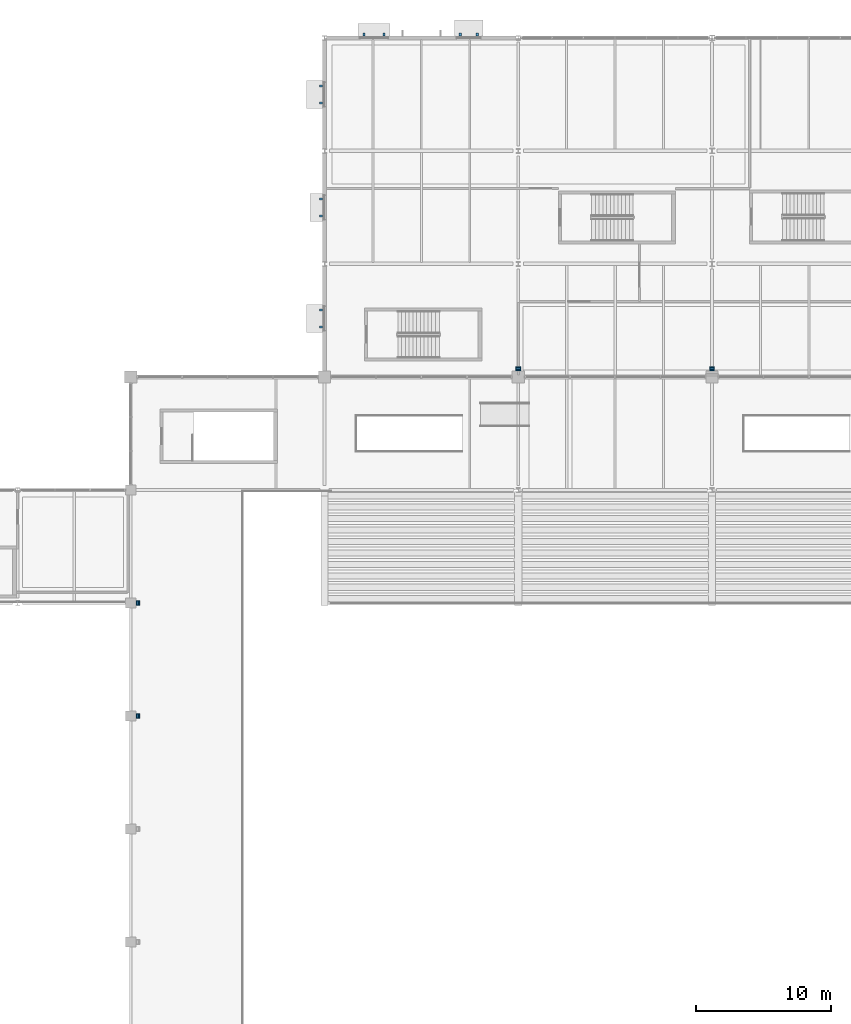
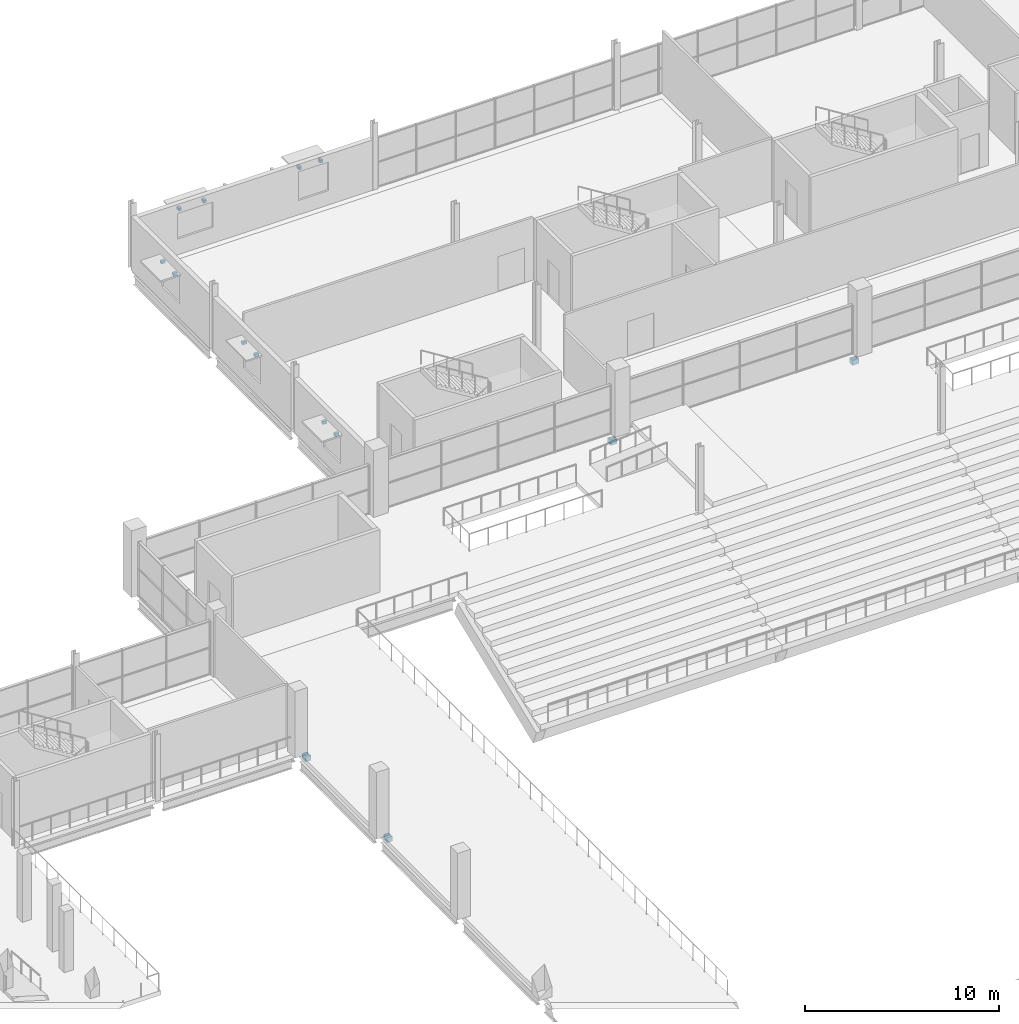
# One storey, part 144 of 161: 18 discrete accessories.
"""IFC4 building model written with IfcOpenShell, lengths in metres."""

from ifc_helpers import new_model, si_unit, direction, frame, origin, origin_2d, place, context, subcontext, project, spatial, rectangle, extrude, material, layer, layer_set, type_object, element, save


model = new_model("IFC4")

# Units and contexts
model_context = context("Model", 3, precision=1e-05, world=origin(), true_north=direction((0.0, 1.0)))
body_context = subcontext(model_context, "Body", "Model", "MODEL_VIEW")
ifc_project = project(units=[si_unit("LENGTHUNIT", "METRE"), si_unit("AREAUNIT", "SQUARE_METRE"), si_unit("VOLUMEUNIT", "CUBIC_METRE"), si_unit("PLANEANGLEUNIT", "RADIAN"), si_unit("MASSUNIT", "GRAM", prefix="KILO"), si_unit("THERMODYNAMICTEMPERATUREUNIT", "KELVIN")], contexts=[model_context])

# Site, building, storey
site_placement = place(None, origin())
site = spatial("IfcSite", under=ifc_project, at=site_placement, CompositionType="ELEMENT")
building_placement = place(site_placement, origin())
building = spatial("IfcBuilding", under=site, at=building_placement, Name="Nduvali Passage Aquatics Centre", CompositionType="ELEMENT")
storey_placement = place(building_placement, frame((0.0, 0.0, 4.800048828125)))
storey = spatial("IfcBuildingStorey", under=building, at=storey_placement, Name="L01", CompositionType="ELEMENT", Elevation=4.800048828125)

# Discrete accessories
ifc_material_1 = material(Name="Steel S355", Category="steel")
discrete_accessory_type_1 = type_object("IfcDiscreteAccessoryType", Name="ENV-BRK-S355", PredefinedType="BRACKET", material=ifc_material_1)
for number, where, z_axis, x_axis, name in (
    (1, (50.952392578125, 117.85009765625, 2.580078125), (0.0, 0.0, 1.0), (-1.0, 0.0, 0.0), "L01 Sunshade Bracket 0113"),
    (2, (49.6923828125, 117.85009765625, 2.580078125), (0.0, 0.0, 1.0), (-1.0, 0.0, 0.0), "L01 Sunshade Bracket 0114"),
    (3, (44.012451171875, 117.85009765625, 2.48486328125), (0.0, 0.0, 1.0), (-1.0, 0.0, 0.0), "L01 Sunshade Bracket 0115"),
    (4, (42.54248046875, 117.85009765625, 2.48486328125), (0.0, 0.0, 1.0), (-1.0, 0.0, 0.0), "L01 Sunshade Bracket 0116"),
    (5, (39.35009765625, 97.374755859375, 2.580078125), (0.0, 0.0, 1.0), (0.0, -1.0, 0.0), "L01 Sunshade Bracket 0117"),
    (6, (39.35009765625, 96.11474609375, 2.580078125), (0.0, 0.0, 1.0), (0.0, -1.0, 0.0), "L01 Sunshade Bracket 0118"),
    (7, (39.35009765625, 105.629638671875, 2.5849609375), (0.0, 0.0, 1.0), (0.0, -1.0, 0.0), "L01 Sunshade Bracket 0119"),
    (8, (39.35009765625, 104.36962890625, 2.5849609375), (0.0, 0.0, 1.0), (0.0, -1.0, 0.0), "L01 Sunshade Bracket 0120"),
    (9, (39.35009765625, 114.02978515625, 2.580078125), (0.0, 0.0, 1.0), (0.0, -1.0, 0.0), "L01 Sunshade Bracket 0121"),
    (10, (39.35009765625, 112.769775390625, 2.580078125), (0.0, 0.0, 1.0), (0.0, -1.0, 0.0), "L01 Sunshade Bracket 0122"),
):
    element("IfcDiscreteAccessory", number, at=place(storey_placement, frame(where, z_axis=z_axis, x_axis=x_axis)), inside=storey, type_object=discrete_accessory_type_1, Name=name, PredefinedType="BRACKET", context=body_context, shape_type="SweptSolid", body=[
        extrude(rectangle(XDim=0.159912109375, YDim=0.239990234375, at=origin_2d()), origin(), (0.0, 0.0, 1.0), 0.179931640625),
    ])
ifc_material_2 = material(Name="Concrete C40/50", Category="concrete")
discrete_accessory_type_2 = type_object("IfcDiscreteAccessoryType", Name="STR-ACC-CRB320", PredefinedType="BRACKET", material=ifc_material_2)
for number, where, z_axis, x_axis, name in (
    (11, (25.735107421875, 67.199951171875, -0.60205078125), (0.0, 0.0, 1.0), (1.0, 0.0, 0.0), "L01 Movement Joint MJ1 RC Corbel CRB1-004"),
    (12, (25.735107421875, 75.60009765625, -0.60205078125), (0.0, 0.0, 1.0), (1.0, 0.0, 0.0), "L01 Movement Joint MJ1 RC Corbel CRB1-005"),
    (13, (54.0, 93.010009765625, -1.1455078125), (0.0, 0.0, 1.0), (0.0, 1.0, 0.0), "L01 Movement Joint MJ2 RC Corbel CRB1-006"),
    (14, (68.39990234375, 93.010009765625, -1.1455078125), (0.0, 0.0, 1.0), (0.0, 1.0, 0.0), "L01 Movement Joint MJ2 RC Corbel CRB1-007"),
):
    element("IfcDiscreteAccessory", number, at=place(storey_placement, frame(where, z_axis=z_axis, x_axis=x_axis)), inside=storey, type_object=discrete_accessory_type_2, Name=name, PredefinedType="BRACKET", context=body_context, shape_type="SweptSolid", body=[
        extrude(rectangle(XDim=0.320068359375, YDim=0.3798828125, at=origin_2d()), origin(), (0.0, 0.0, 1.0), 0.300048828125),
    ])
ifc_layer = layer(ifc_material_1, 0.02197265625, Name="Steel S355")
ifc_layer_set = layer_set([ifc_layer], Name="Steel S355")
discrete_accessory_type_3 = type_object("IfcDiscreteAccessoryType", Name="STR-ACC-PTFE140", PredefinedType="SHOE", material=ifc_layer_set)
for number, where, z_axis, x_axis, name in (
    (15, (25.735107421875, 67.199951171875, -0.302001953125), (0.0, 0.0, 1.0), (1.0, 0.0, 0.0), "L01 Movement Joint MJ1 PTFE Bearing Pad PTFE1-004"),
    (16, (25.735107421875, 75.60009765625, -0.302001953125), (0.0, 0.0, 1.0), (1.0, 0.0, 0.0), "L01 Movement Joint MJ1 PTFE Bearing Pad PTFE1-005"),
    (17, (54.0, 93.010009765625, -0.845458984375), (0.0, 0.0, 1.0), (0.0, 1.0, 0.0), "L01 Movement Joint MJ2 PTFE Bearing Pad PTFE1-006"),
    (18, (68.39990234375, 93.010009765625, -0.845458984375), (0.0, 0.0, 1.0), (0.0, 1.0, 0.0), "L01 Movement Joint MJ2 PTFE Bearing Pad PTFE1-007"),
):
    element("IfcDiscreteAccessory", number, at=place(storey_placement, frame(where, z_axis=z_axis, x_axis=x_axis)), inside=storey, type_object=discrete_accessory_type_3, Name=name, PredefinedType="SHOE", context=body_context, shape_type="SweptSolid", body=[
        extrude(rectangle(XDim=0.139892578125, YDim=0.340087890625, at=origin_2d()), origin(), (0.0, 0.0, 1.0), 0.02197265625),
    ])

save(model, "model.ifc")
